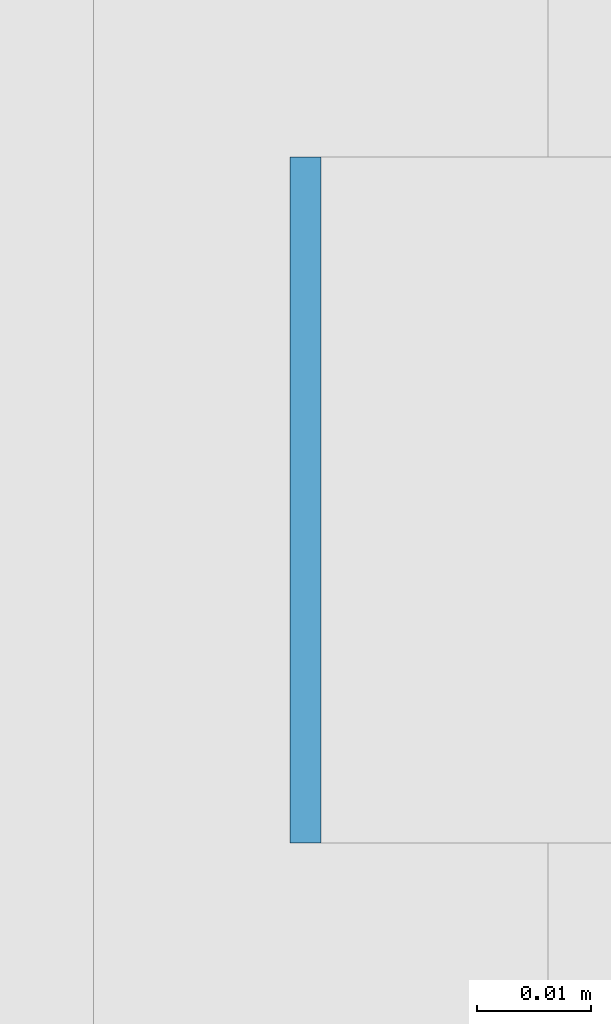
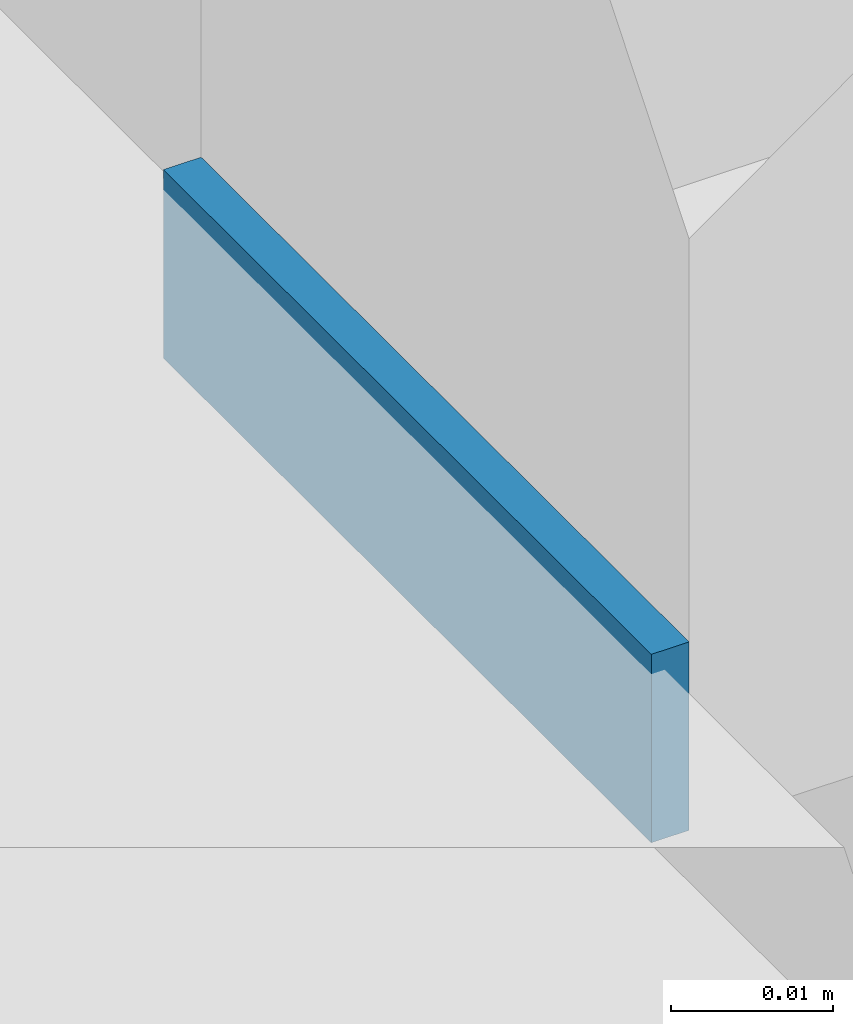
# One storey, part 490 of 646: 1 discrete accessory.
"""IFC4 building model written with IfcOpenShell, lengths in metres."""

from ifc_helpers import new_model, si_unit, direction, frame, origin, origin_2d, place, context, subcontext, project, spatial, rectangle, extrude, material, type_object, element, save


model = new_model("IFC4")

# Units and contexts
model_context = context("Model", 3, precision=1e-05, world=origin(), true_north=direction((0.0, 1.0)))
body_context = subcontext(model_context, "Body", "Model", "MODEL_VIEW")
ifc_project = project(units=[si_unit("LENGTHUNIT", "METRE"), si_unit("AREAUNIT", "SQUARE_METRE"), si_unit("VOLUMEUNIT", "CUBIC_METRE"), si_unit("PLANEANGLEUNIT", "RADIAN"), si_unit("MASSUNIT", "GRAM", prefix="KILO")], contexts=[model_context])

# Site, building, storey
site_placement = place(None, origin())
site = spatial("IfcSite", under=ifc_project, at=site_placement, CompositionType="ELEMENT")
building_placement = place(site_placement, origin())
building = spatial("IfcBuilding", under=site, at=building_placement, Name="Silverbay Arena", CompositionType="ELEMENT")
storey_placement = place(building_placement, frame((0.0, 0.0, 33.5)))
storey = spatial("IfcBuildingStorey", under=building, at=storey_placement, Name="L05", CompositionType="ELEMENT", Elevation=33.5)

# Discrete accessory
ifc_material = material(Name="Steel S355", Category="steel")
discrete_accessory_type = type_object("IfcDiscreteAccessoryType", Name="Steel bracket plate", PredefinedType="BRACKET", material=ifc_material)
discrete_accessory_placement = place(storey_placement, frame((207.128662109375, 61.71435546875, 4.0), z_axis=(0.0, 0.0, 1.0), x_axis=(1.0, 0.0, 0.0)))
element("IfcDiscreteAccessory", 1, at=discrete_accessory_placement, inside=storey, type_object=discrete_accessory_type, Name="Curtain wall packing plate", PredefinedType="BRACKET", context=body_context, shape_type="SweptSolid", body=[
    extrude(rectangle(XDim=0.002685546875, YDim=0.06005859375, at=origin_2d()), origin(), (0.0, 0.0, 1.0), 0.01416015625),
])

save(model, "model.ifc")
